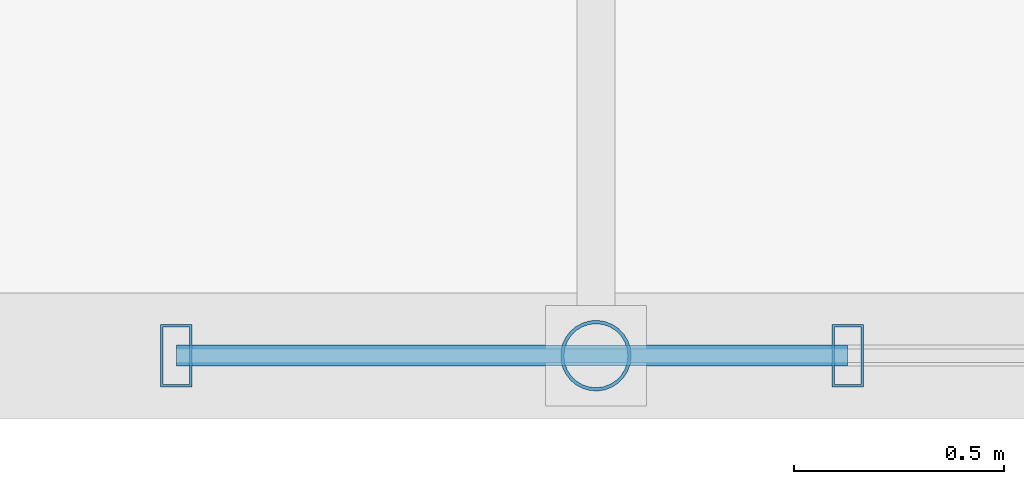
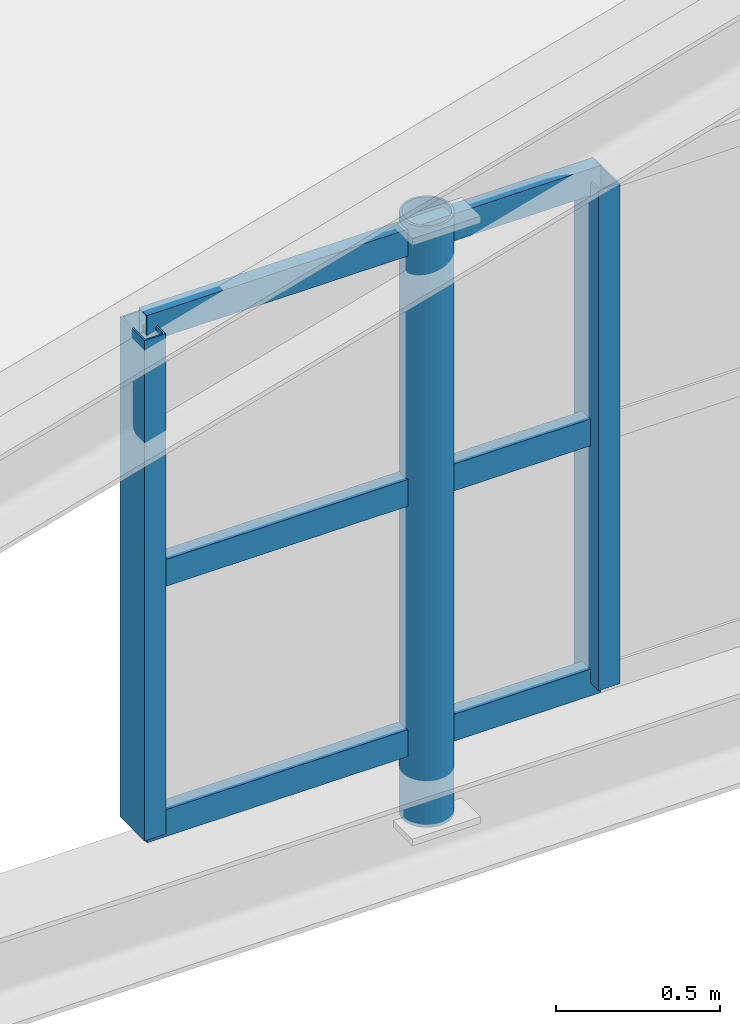
# One storey, part 3 of 49: 6 members, 1 element without a shape of its own.
"""IFC4 building model written with IfcOpenShell, lengths in metres."""

from ifc_helpers import new_model, si_unit, direction, frame, origin, origin_2d, place, context, subcontext, project, spatial, hollow_rectangle, hollow_circle, extrude, material, material_profile, profile_set, type_object, element, aggregate, save


model = new_model("IFC4")

# Units and contexts
model_context = context("Model", 3, precision=1e-05, world=origin(), true_north=direction((0.0, 1.0)))
body_context = subcontext(model_context, "Body", "Model", "MODEL_VIEW")
ifc_project = project(units=[si_unit("LENGTHUNIT", "METRE"), si_unit("AREAUNIT", "SQUARE_METRE"), si_unit("VOLUMEUNIT", "CUBIC_METRE"), si_unit("PLANEANGLEUNIT", "RADIAN"), si_unit("MASSUNIT", "GRAM", prefix="KILO")], contexts=[model_context])

# Site, building, storey
site_placement = place(None, origin())
site = spatial("IfcSite", under=ifc_project, at=site_placement, CompositionType="ELEMENT")
building_placement = place(site_placement, origin())
building = spatial("IfcBuilding", under=site, at=building_placement, Name="Sundkrona Museum", CompositionType="ELEMENT")
storey_placement = place(building_placement, frame((0.0, 0.0, 26.0)))
storey = spatial("IfcBuildingStorey", under=building, at=storey_placement, Name="L05", CompositionType="ELEMENT", Elevation=26.0)

# Curtain wall, members
ifc_material_1 = material(Name="Unitised Aluminium-Steel and Ceramic-Clad Curtain Walling", Category="steel")
curtain_wall_type = type_object("IfcCurtainWallType", Name="CW-SW-240x13", PredefinedType="NOTDEFINED", material=ifc_material_1)
curtain_wall_placement = place(storey_placement, origin())
curtain_wall = element("IfcCurtainWall", 1, at=curtain_wall_placement, inside=storey, type_object=curtain_wall_type, Name="Atrium S Glazed Gable Tympanum 2", PredefinedType="NOTDEFINED")
ifc_material_2 = material(Name="Aluminium EN AW-6060 T66", Category="aluminium")
ifc_material_profile_1 = material_profile(ifc_material_2, hollow_rectangle(XDim=0.074951171875, YDim=0.14990234375, WallThickness=0.00634765625, at=origin_2d()), Name="RHS 150x75x6.3")
ifc_profile_set_1 = profile_set([ifc_material_profile_1], Name="Aluminium EN AW-6060 T66")
member_type_1 = type_object("IfcMemberType", Name="ML-150", PredefinedType="MULLION", material=ifc_profile_set_1)
member_1_placement = place(storey_placement, frame((87.0, 0.0, -0.10009765625), z_axis=(0.0, 0.0, 1.0), x_axis=(1.0, 0.0, 0.0)))
member_1 = element("IfcMember", 2, at=member_1_placement, type_object=member_type_1, Name="CW-ATR-GBL-S2 Mullion 01", PredefinedType="MULLION", context=body_context, shape_type="SweptSolid", body=[
    extrude(hollow_rectangle(XDim=0.074951171875, YDim=0.14990234375, WallThickness=0.00634765625, at=origin_2d()), origin(), (0.0, 0.0, 1.0), 1.864013671875),
])
member_2_placement = place(storey_placement, frame((88.60009765625, 0.0, -0.10009765625), z_axis=(0.0, 0.0, 1.0), x_axis=(1.0, 0.0, 0.0)))
member_2 = element("IfcMember", 3, at=member_2_placement, type_object=member_type_1, Name="CW-ATR-GBL-S2 Mullion 02", PredefinedType="MULLION", context=body_context, shape_type="SweptSolid", body=[
    extrude(hollow_rectangle(XDim=0.074951171875, YDim=0.14990234375, WallThickness=0.00634765625, at=origin_2d()), origin(), (0.0, 0.0, 1.0), 1.864013671875),
])

# Member
ifc_material_3 = material(Name="Steel S355J2", Category="steel")
ifc_material_profile_2 = material_profile(ifc_material_3, hollow_circle(Radius=0.084228515625, WallThickness=0.008056640625, at=origin_2d()), Name="CHS 168.3x8.0")
ifc_profile_set_2 = profile_set([ifc_material_profile_2], Name="Steel S355J2")
member_type_2 = type_object("IfcMemberType", Name="ST-CHS168", PredefinedType="STRUT", material=ifc_profile_set_2)
member_3_placement = place(storey_placement, frame((88.0, 0.0, -0.39990234375), z_axis=(0.0, 0.0, 1.0), x_axis=(1.0, 0.0, 0.0)))
element("IfcMember", 4, at=member_3_placement, inside=storey, type_object=member_type_2, Name="RFS-1 Atrium Truss 1 Web Strut 88", PredefinedType="STRUT", context=body_context, shape_type="SweptSolid", body=[
    extrude(hollow_circle(Radius=0.084228515625, WallThickness=0.008056640625, at=origin_2d()), origin(), (0.0, 0.0, 1.0), 2.237548828125),
])

ifc_material_profile_3 = material_profile(ifc_material_2, hollow_rectangle(XDim=0.050048828125, YDim=0.10009765625, WallThickness=0.0048828125, at=origin_2d()), Name="RHS 100x50x5.0")
ifc_profile_set_3 = profile_set([ifc_material_profile_3], Name="Aluminium EN AW-6060 T66")
member_type_3 = type_object("IfcMemberType", Name="TR-100", PredefinedType="USERDEFINED", material=ifc_profile_set_3)
member_4_placement = place(storey_placement, frame((87.0, 0.0, -0.10009765625), z_axis=(1.0, 0.0, 0.0), x_axis=(0.0, 1.0, 0.0)))
member_4 = element("IfcMember", 5, at=member_4_placement, type_object=member_type_3, Name="CW-ATR-GBL-S2 Transom 01", ObjectType="TRANSOM", PredefinedType="USERDEFINED", context=body_context, shape_type="SweptSolid", body=[
    extrude(hollow_rectangle(XDim=0.050048828125, YDim=0.10009765625, WallThickness=0.0048828125, at=origin_2d()), origin(), (0.0, 0.0, 1.0), 1.60009765625),
])

member_5_placement = place(storey_placement, frame((87.0, 0.0, 0.83203125), z_axis=(1.0, 0.0, 0.0), x_axis=(0.0, 1.0, 0.0)))
member_5 = element("IfcMember", 6, at=member_5_placement, type_object=member_type_3, Name="CW-ATR-GBL-S2 Transom 02", ObjectType="TRANSOM", PredefinedType="USERDEFINED", context=body_context, shape_type="SweptSolid", body=[
    extrude(hollow_rectangle(XDim=0.050048828125, YDim=0.10009765625, WallThickness=0.0048828125, at=origin_2d()), origin(), (0.0, 0.0, 1.0), 1.60009765625),
])

member_6_placement = place(storey_placement, frame((87.0, 0.0, 1.763916015625), z_axis=(1.0, 0.0, 0.0), x_axis=(0.0, 1.0, 0.0)))
member_6 = element("IfcMember", 7, at=member_6_placement, type_object=member_type_3, Name="CW-ATR-GBL-S2 Transom 03", ObjectType="TRANSOM", PredefinedType="USERDEFINED", context=body_context, shape_type="SweptSolid", body=[
    extrude(hollow_rectangle(XDim=0.050048828125, YDim=0.10009765625, WallThickness=0.0048828125, at=origin_2d()), origin(), (0.0, 0.0, 1.0), 1.60009765625),
])

aggregate(curtain_wall, [member_1, member_2, member_4, member_5, member_6])

save(model, "model.ifc")
